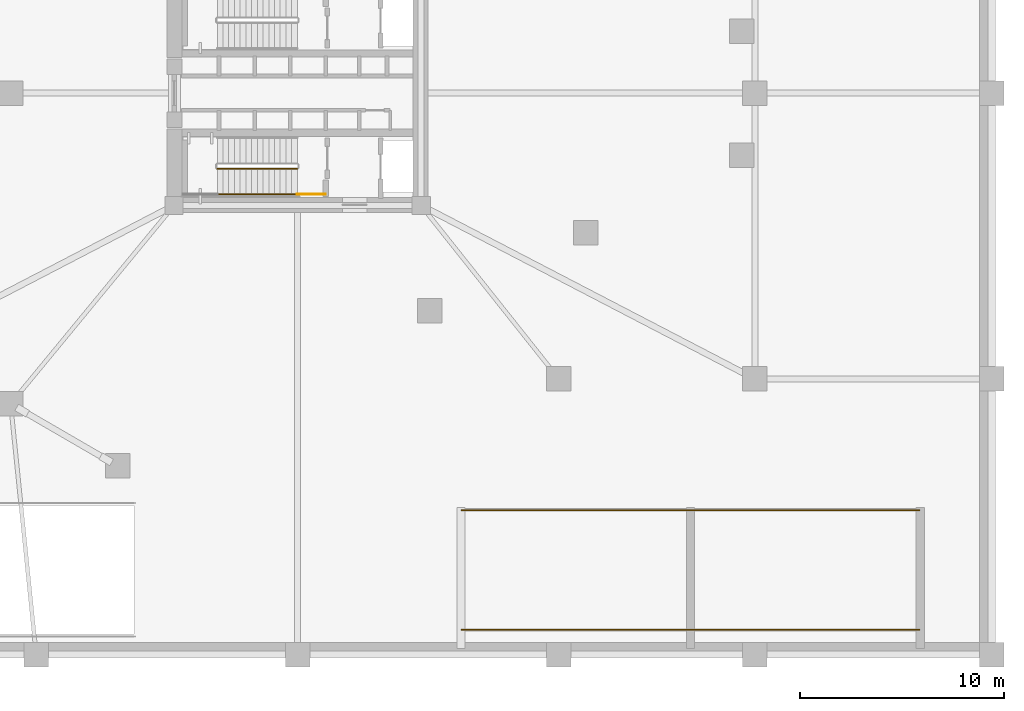
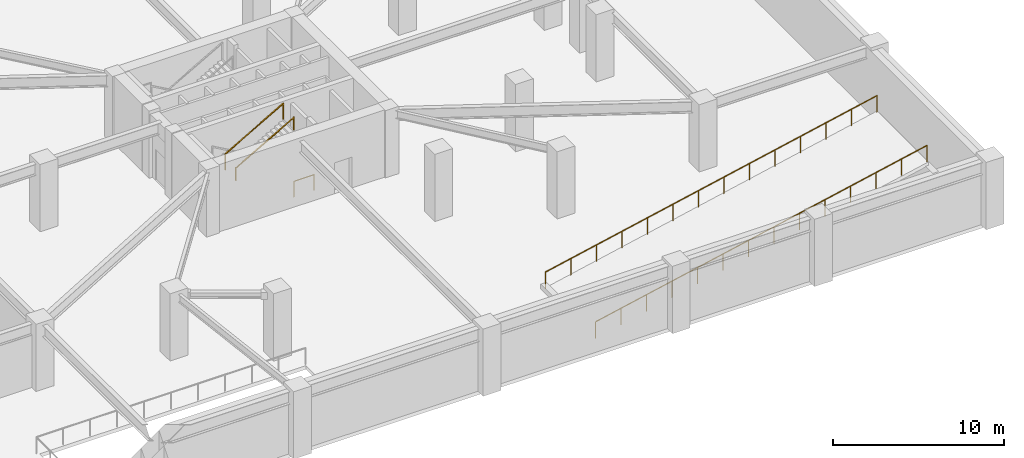
# One storey, part 9 of 13: 5 railings.
"""IFC4 building model written with IfcOpenShell, lengths in metres."""

from ifc_helpers import new_model, si_unit, direction, frame, origin, origin_2d, place, context, subcontext, project, spatial, rectangle, extrude, material, type_object, element, save


model = new_model("IFC4")

# Units and contexts
model_context = context("Model", 3, precision=1e-05, world=origin(), true_north=direction((0.0, 1.0)))
body_context = subcontext(model_context, "Body", "Model", "MODEL_VIEW")
ifc_project = project(units=[si_unit("LENGTHUNIT", "METRE"), si_unit("AREAUNIT", "SQUARE_METRE"), si_unit("VOLUMEUNIT", "CUBIC_METRE"), si_unit("PLANEANGLEUNIT", "RADIAN"), si_unit("MASSUNIT", "GRAM", prefix="KILO")], contexts=[model_context])

# Site, building, storey
site_placement = place(None, origin())
site = spatial("IfcSite", under=ifc_project, at=site_placement, CompositionType="ELEMENT")
building_placement = place(site_placement, origin())
building = spatial("IfcBuilding", under=site, at=building_placement, Name="Yunling Apex Tower", CompositionType="ELEMENT")
storey_placement = place(building_placement, frame((0.0, 0.0, -4.800048828125)))
storey = spatial("IfcBuildingStorey", under=building, at=storey_placement, Name="B01", CompositionType="ELEMENT", Elevation=-4.800048828125)

# Railings
ifc_material_1 = material(Name="Steel Q355B", Category="steel")
railing_type_1 = type_object("IfcRailingType", Name="RL-GRD-1150", PredefinedType="GUARDRAIL", material=ifc_material_1)
railing_1_placement = place(storey_placement, frame((-3.929931640625, -3.699951171875, 2.56005859375)))
element("IfcRailing", 1, at=railing_1_placement, inside=storey, type_object=railing_type_1, Name="B01 ST-2 stair guard 4", PredefinedType="GUARDRAIL", context=body_context, shape_type="SweptSolid", body=[
    extrude(rectangle(XDim=0.0439453125, YDim=0.0439453125, at=origin_2d()), origin(), (0.0, 0.0, 1.0), 1.14990234375),
    extrude(rectangle(XDim=0.0439453125, YDim=0.0439453125, at=origin_2d()), frame((3.919921875, 0.0, 2.239990234375)), (0.0, 0.0, 1.0), 1.14990234375),
    extrude(rectangle(XDim=0.050048828125, YDim=0.050048828125, at=origin_2d()), frame((0.033203125, 0.0, 1.143798828125), z_axis=(0.868239814368, 0.0, 0.496144761885), x_axis=(0.0, 1.0, 0.0)), (0.0, 0.0, 1.0), 4.438232421875),
])
railing_2_placement = place(storey_placement, frame((1.35009765625, -4.9599609375, 0.0)))
element("IfcRailing", 2, at=railing_2_placement, inside=storey, type_object=railing_type_1, Name="B01 ST-2 stair guard 6", PredefinedType="GUARDRAIL", context=body_context, shape_type="SweptSolid", body=[
    extrude(rectangle(XDim=0.0439453125, YDim=0.0439453125, at=origin_2d()), origin(), (0.0, 0.0, 1.0), 1.14990234375),
    extrude(rectangle(XDim=0.0439453125, YDim=0.0439453125, at=origin_2d()), frame((-1.360107421875, 0.0, 0.0)), (0.0, 0.0, 1.0), 1.14990234375),
    extrude(rectangle(XDim=0.050048828125, YDim=0.050048828125, at=origin_2d()), frame((-0.038330078125, 0.0, 1.125), z_axis=(-1.0, 0.0, 0.0), x_axis=(0.0, -1.0, 0.0)), (0.0, 0.0, 1.0), 1.283447265625),
])
railing_3_placement = place(storey_placement, frame((8.050048828125, -26.280029296875, 0.02001953125)))
element("IfcRailing", 3, at=railing_3_placement, inside=storey, type_object=railing_type_1, Name="RL-VRMP-B01-SL-S", PredefinedType="GUARDRAIL", context=body_context, shape_type="SweptSolid", body=[
    extrude(rectangle(XDim=0.0439453125, YDim=0.0439453125, at=origin_2d()), origin(), (0.0, 0.0, 1.0), 1.199951171875),
    extrude(rectangle(XDim=0.0439453125, YDim=0.0439453125, at=origin_2d()), frame((22.39990234375, 0.0, 4.760009765625)), (0.0, 0.0, 1.0), 1.199951171875),
    extrude(rectangle(XDim=0.050048828125, YDim=0.050048828125, at=origin_2d()), frame((0.03759765625, 0.0, 1.182861328125), z_axis=(0.978158579966, 0.0, 0.207860030884), x_axis=(0.0, 1.0, 0.0)), (0.0, 0.0, 1.0), 22.823486328125),
    extrude(rectangle(XDim=0.0439453125, YDim=0.0439453125, at=origin_2d()), frame((1.72314453125, 0.0, 0.3662109375)), (0.0, 0.0, 1.0), 1.14599609375),
    extrude(rectangle(XDim=0.0439453125, YDim=0.0439453125, at=origin_2d()), frame((3.446044921875, 0.0, 0.732421875)), (0.0, 0.0, 1.0), 1.14599609375),
    extrude(rectangle(XDim=0.0439453125, YDim=0.0439453125, at=origin_2d()), frame((5.169189453125, 0.0, 1.098388671875)), (0.0, 0.0, 1.0), 1.14599609375),
    extrude(rectangle(XDim=0.0439453125, YDim=0.0439453125, at=origin_2d()), frame((6.892333984375, 0.0, 1.464599609375)), (0.0, 0.0, 1.0), 1.14599609375),
    extrude(rectangle(XDim=0.0439453125, YDim=0.0439453125, at=origin_2d()), frame((8.615234375, 0.0, 1.830810546875)), (0.0, 0.0, 1.0), 1.14599609375),
    extrude(rectangle(XDim=0.0439453125, YDim=0.0439453125, at=origin_2d()), frame((10.33837890625, 0.0, 2.197021484375)), (0.0, 0.0, 1.0), 1.14599609375),
    extrude(rectangle(XDim=0.0439453125, YDim=0.0439453125, at=origin_2d()), frame((12.0615234375, 0.0, 2.56298828125)), (0.0, 0.0, 1.0), 1.14599609375),
    extrude(rectangle(XDim=0.0439453125, YDim=0.0439453125, at=origin_2d()), frame((13.78466796875, 0.0, 2.92919921875)), (0.0, 0.0, 1.0), 1.14599609375),
    extrude(rectangle(XDim=0.0439453125, YDim=0.0439453125, at=origin_2d()), frame((15.507568359375, 0.0, 3.29541015625)), (0.0, 0.0, 1.0), 1.14599609375),
    extrude(rectangle(XDim=0.0439453125, YDim=0.0439453125, at=origin_2d()), frame((17.230712890625, 0.0, 3.66162109375)), (0.0, 0.0, 1.0), 1.14599609375),
    extrude(rectangle(XDim=0.0439453125, YDim=0.0439453125, at=origin_2d()), frame((18.953857421875, 0.0, 4.027587890625)), (0.0, 0.0, 1.0), 1.14599609375),
    extrude(rectangle(XDim=0.0439453125, YDim=0.0439453125, at=origin_2d()), frame((20.6767578125, 0.0, 4.393798828125)), (0.0, 0.0, 1.0), 1.14599609375),
])
railing_4_placement = place(storey_placement, frame((8.050048828125, -20.419921875, 0.02001953125)))
element("IfcRailing", 4, at=railing_4_placement, inside=storey, type_object=railing_type_1, Name="RL-VRMP-B01-SL-N", PredefinedType="GUARDRAIL", context=body_context, shape_type="SweptSolid", body=[
    extrude(rectangle(XDim=0.0439453125, YDim=0.0439453125, at=origin_2d()), origin(), (0.0, 0.0, 1.0), 1.199951171875),
    extrude(rectangle(XDim=0.0439453125, YDim=0.0439453125, at=origin_2d()), frame((22.39990234375, 0.0, 4.760009765625)), (0.0, 0.0, 1.0), 1.199951171875),
    extrude(rectangle(XDim=0.050048828125, YDim=0.050048828125, at=origin_2d()), frame((0.03759765625, 0.0, 1.182861328125), z_axis=(0.978158579966, 0.0, 0.207860030884), x_axis=(0.0, 1.0, 0.0)), (0.0, 0.0, 1.0), 22.823486328125),
    extrude(rectangle(XDim=0.0439453125, YDim=0.0439453125, at=origin_2d()), frame((1.72314453125, 0.0, 0.3662109375)), (0.0, 0.0, 1.0), 1.14599609375),
    extrude(rectangle(XDim=0.0439453125, YDim=0.0439453125, at=origin_2d()), frame((3.446044921875, 0.0, 0.732421875)), (0.0, 0.0, 1.0), 1.14599609375),
    extrude(rectangle(XDim=0.0439453125, YDim=0.0439453125, at=origin_2d()), frame((5.169189453125, 0.0, 1.098388671875)), (0.0, 0.0, 1.0), 1.14599609375),
    extrude(rectangle(XDim=0.0439453125, YDim=0.0439453125, at=origin_2d()), frame((6.892333984375, 0.0, 1.464599609375)), (0.0, 0.0, 1.0), 1.14599609375),
    extrude(rectangle(XDim=0.0439453125, YDim=0.0439453125, at=origin_2d()), frame((8.615234375, 0.0, 1.830810546875)), (0.0, 0.0, 1.0), 1.14599609375),
    extrude(rectangle(XDim=0.0439453125, YDim=0.0439453125, at=origin_2d()), frame((10.33837890625, 0.0, 2.197021484375)), (0.0, 0.0, 1.0), 1.14599609375),
    extrude(rectangle(XDim=0.0439453125, YDim=0.0439453125, at=origin_2d()), frame((12.0615234375, 0.0, 2.56298828125)), (0.0, 0.0, 1.0), 1.14599609375),
    extrude(rectangle(XDim=0.0439453125, YDim=0.0439453125, at=origin_2d()), frame((13.78466796875, 0.0, 2.92919921875)), (0.0, 0.0, 1.0), 1.14599609375),
    extrude(rectangle(XDim=0.0439453125, YDim=0.0439453125, at=origin_2d()), frame((15.507568359375, 0.0, 3.29541015625)), (0.0, 0.0, 1.0), 1.14599609375),
    extrude(rectangle(XDim=0.0439453125, YDim=0.0439453125, at=origin_2d()), frame((17.230712890625, 0.0, 3.66162109375)), (0.0, 0.0, 1.0), 1.14599609375),
    extrude(rectangle(XDim=0.0439453125, YDim=0.0439453125, at=origin_2d()), frame((18.953857421875, 0.0, 4.027587890625)), (0.0, 0.0, 1.0), 1.14599609375),
    extrude(rectangle(XDim=0.0439453125, YDim=0.0439453125, at=origin_2d()), frame((20.6767578125, 0.0, 4.393798828125)), (0.0, 0.0, 1.0), 1.14599609375),
])
ifc_material_2 = material(Name="Silver anodised aluminium", Category="aluminium")
railing_type_2 = type_object("IfcRailingType", Name="RL-HND-900", PredefinedType="HANDRAIL", material=ifc_material_2)
railing_5_placement = place(storey_placement, frame((-3.929931640625, -4.9599609375, 2.56005859375)))
element("IfcRailing", 5, at=railing_5_placement, inside=storey, type_object=railing_type_2, Name="B01 ST-2 stair handrail 2", PredefinedType="HANDRAIL", context=body_context, shape_type="SweptSolid", body=[
    extrude(rectangle(XDim=0.0439453125, YDim=0.0439453125, at=origin_2d()), origin(), (0.0, 0.0, 1.0), 0.919921875),
    extrude(rectangle(XDim=0.0439453125, YDim=0.0439453125, at=origin_2d()), frame((3.919921875, 0.0, 2.239990234375)), (0.0, 0.0, 1.0), 0.919921875),
    extrude(rectangle(XDim=0.050048828125, YDim=0.050048828125, at=origin_2d()), frame((0.033203125, 0.0, 0.913818359375), z_axis=(0.868239814368, 0.0, 0.496144761885), x_axis=(0.0, 1.0, 0.0)), (0.0, 0.0, 1.0), 4.438232421875),
])

save(model, "model.ifc")
